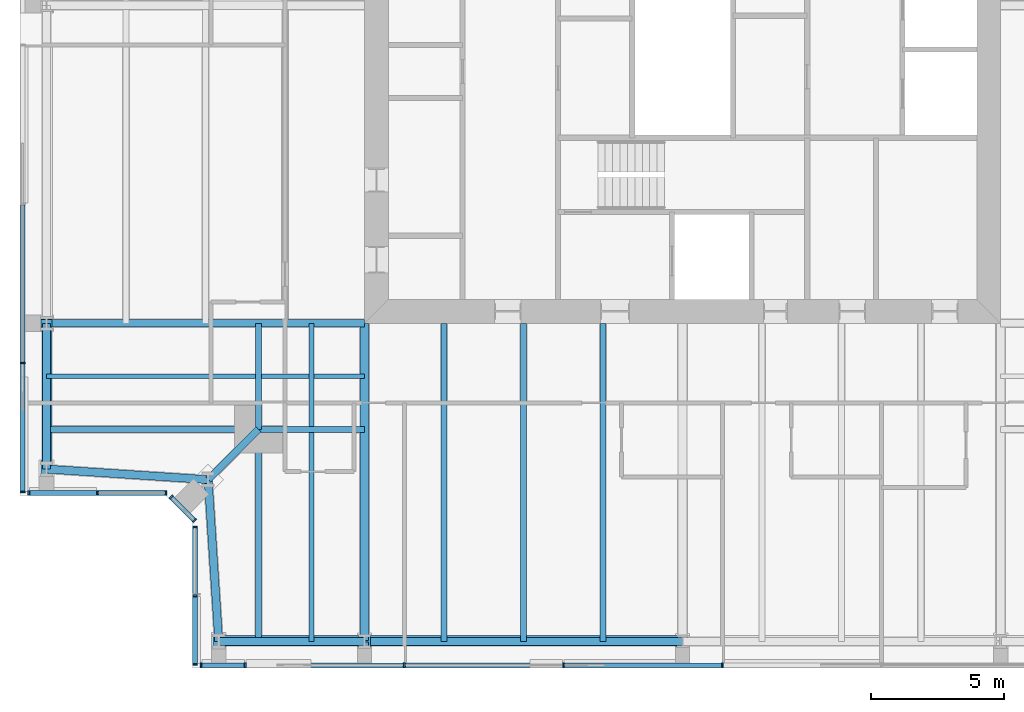
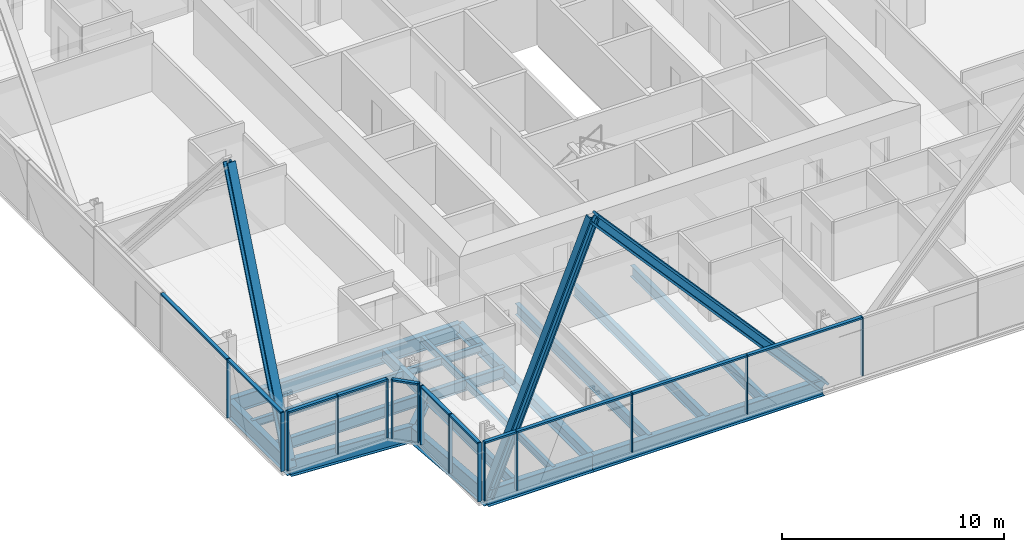
# One storey, part 2 of 19: 29 members, 20 beams, 5 elements without a shape of their own.
"""IFC4 building model written with IfcOpenShell, lengths in metres."""

from ifc_helpers import new_model, si_unit, direction, frame, origin, origin_2d, place, context, subcontext, project, spatial, rectangle, i_section, extrude, material, material_profile, profile_set, type_object, element, aggregate, save


model = new_model("IFC4")

# Units and contexts
model_context = context("Model", 3, precision=1e-05, world=origin(), true_north=direction((0.0, 1.0)))
body_context = subcontext(model_context, "Body", "Model", "MODEL_VIEW")
ifc_project = project(units=[si_unit("LENGTHUNIT", "METRE"), si_unit("AREAUNIT", "SQUARE_METRE"), si_unit("VOLUMEUNIT", "CUBIC_METRE"), si_unit("PLANEANGLEUNIT", "RADIAN"), si_unit("MASSUNIT", "GRAM", prefix="KILO")], contexts=[model_context])

# Site, building, storey
site_placement = place(None, origin())
site = spatial("IfcSite", under=ifc_project, at=site_placement, CompositionType="ELEMENT")
building_placement = place(site_placement, origin())
building = spatial("IfcBuilding", under=site, at=building_placement, Name="Fenwick Lantern Interchange", CompositionType="ELEMENT")
storey_placement = place(building_placement, frame((0.0, 0.0, 283.199951171875)))
storey = spatial("IfcBuildingStorey", under=building, at=storey_placement, Name="L68", CompositionType="ELEMENT", Elevation=283.199951171875)

# Beams
ifc_material_1 = material(Name="Steel ASTM A992 Grade 50", Category="steel")
ifc_material_profile_1 = material_profile(ifc_material_1, i_section(OverallWidth=0.3046875, OverallDepth=0.911865234375, WebThickness=0.015869140625, FlangeThickness=0.02392578125, at=origin_2d()), Name="W36X150")
ifc_profile_set_1 = profile_set([ifc_material_profile_1], Name="Steel ASTM A992 Grade 50")
beam_type_1 = type_object("IfcBeamType", Name="EDGE BEAM W36X150", PredefinedType="SPANDREL", material=ifc_profile_set_1)
beam_1_placement = place(storey_placement, frame((7.5, 1.0, -0.60595703125), z_axis=(1.0, 0.0, 0.0), x_axis=(0.0, 1.0, 0.0)))
element("IfcBeam", 1, at=beam_1_placement, inside=storey, type_object=beam_type_1, Name="L68/FR/S/EB1", PredefinedType="SPANDREL", context=body_context, shape_type="SweptSolid", body=[
    extrude(i_section(OverallWidth=0.3046875, OverallDepth=0.911865234375, WebThickness=0.015869140625, FlangeThickness=0.02392578125, at=origin_2d()), origin(), (0.0, 0.0, 1.0), 5.5),
])
beam_2_placement = place(storey_placement, frame((13.0, 1.0, -0.60595703125), z_axis=(1.0, 0.0, 0.0), x_axis=(0.0, 1.0, 0.0)))
element("IfcBeam", 2, at=beam_2_placement, inside=storey, type_object=beam_type_1, Name="L68/FR/S/EB2", PredefinedType="SPANDREL", context=body_context, shape_type="SweptSolid", body=[
    extrude(i_section(OverallWidth=0.3046875, OverallDepth=0.911865234375, WebThickness=0.015869140625, FlangeThickness=0.02392578125, at=origin_2d()), origin(), (0.0, 0.0, 1.0), 12.0),
])
beam_3_placement = place(storey_placement, frame((1.0, 13.0, -0.60595703125), z_axis=(0.0, -1.0, 0.0), x_axis=(1.0, 0.0, 0.0)))
element("IfcBeam", 3, at=beam_3_placement, inside=storey, type_object=beam_type_1, Name="L68/FR/W/EB4", PredefinedType="SPANDREL", context=body_context, shape_type="SweptSolid", body=[
    extrude(i_section(OverallWidth=0.3046875, OverallDepth=0.911865234375, WebThickness=0.015869140625, FlangeThickness=0.02392578125, at=origin_2d()), origin(), (0.0, 0.0, 1.0), 5.5),
])
for number, where, z_axis, x_axis, name in (
    (4, (1.0, 7.5, -0.60595703125), (0.997858060337, -0.065416293237, 0.0), (0.065416293237, 0.997858060337, 0.0), "L68/FR/W/EBR1"),
    (5, (7.10009765625, 7.10009765625, -0.60595703125), (0.065416293237, -0.997858060337, 0.0), (0.997858060337, 0.065416293237, 0.0), "L68/FR/W/EBR2"),
):
    element("IfcBeam", number, at=place(storey_placement, frame(where, z_axis=z_axis, x_axis=x_axis)), inside=storey, type_object=beam_type_1, Name=name, PredefinedType="SPANDREL", context=body_context, shape_type="SweptSolid", body=[
        extrude(i_section(OverallWidth=0.3046875, OverallDepth=0.911865234375, WebThickness=0.015869140625, FlangeThickness=0.02392578125, at=origin_2d()), origin(), (0.0, 0.0, 1.0), 6.11328125),
    ])

# Members
ifc_material_profile_2 = material_profile(ifc_material_1, i_section(OverallWidth=0.424072265625, OverallDepth=0.47509765625, WebThickness=0.0478515625, FlangeThickness=0.0771484375, at=origin_2d()), Name="W14X426")
ifc_profile_set_2 = profile_set([ifc_material_profile_2], Name="Steel ASTM A992 Grade 50")
member_type_1 = type_object("IfcMemberType", Name="FACADE BRACE W14X426", PredefinedType="BRACE", material=ifc_profile_set_2)
for number, where, z_axis, x_axis, name in (
    (6, (7.5, 1.0, -0.60595703125), (0.377648302155, 0.0, 0.925949113008), (0.0, 1.0, 0.0), "L68/FB/S/AE"),
    (7, (1.0, 7.5, -0.60595703125), (0.0, 0.377648302155, 0.925949113008), (-1.0, 0.0, 0.0), "L68/FB/W/BE"),
):
    element("IfcMember", number, at=place(storey_placement, frame(where, z_axis=z_axis, x_axis=x_axis)), inside=storey, type_object=member_type_1, Name=name, PredefinedType="BRACE", context=body_context, shape_type="SweptSolid", body=[
        extrude(i_section(OverallWidth=0.424072265625, OverallDepth=0.47509765625, WebThickness=0.0478515625, FlangeThickness=0.0771484375, at=origin_2d()), origin(), (0.0, 0.0, 1.0), 14.563720703125),
    ])
ifc_material_profile_3 = material_profile(ifc_material_1, i_section(OverallWidth=0.44189453125, OverallDepth=0.53076171875, WebThickness=0.06591796875, FlangeThickness=0.105712890625, at=origin_2d()), Name="W14X605")
ifc_profile_set_3 = profile_set([ifc_material_profile_3], Name="Steel ASTM A992 Grade 50")
member_type_2 = type_object("IfcMemberType", Name="FACADE BRACE W14X605", PredefinedType="BRACE", material=ifc_profile_set_3)
member_1_placement = place(storey_placement, frame((25.0, 1.0, -0.60595703125), z_axis=(-0.66476668545, 0.0, 0.747051038361), x_axis=(0.0, -1.0, 0.0)))
element("IfcMember", 8, at=member_1_placement, inside=storey, type_object=member_type_2, Name="L68/FB/S/A", PredefinedType="BRACE", context=body_context, shape_type="SweptSolid", body=[
    extrude(i_section(OverallWidth=0.44189453125, OverallDepth=0.53076171875, WebThickness=0.06591796875, FlangeThickness=0.105712890625, at=origin_2d()), origin(), (0.0, 0.0, 1.0), 18.051513671875),
])

# Beams
ifc_material_profile_4 = material_profile(ifc_material_1, i_section(OverallWidth=0.22900390625, OverallDepth=0.612060546875, WebThickness=0.011962890625, FlangeThickness=0.01953125, at=origin_2d()), Name="W24X84")
ifc_profile_set_4 = profile_set([ifc_material_profile_4], Name="Steel ASTM A992 Grade 50")
beam_type_2 = type_object("IfcBeamType", Name="FLOOR BEAM W24X84", PredefinedType="BEAM", material=ifc_profile_set_4)
for number, where, z_axis, x_axis, name in (
    (9, (16.0, 1.0, -0.4560546875), (0.0, 1.0, 0.0), (-1.0, 0.0, 0.0), "L68/FR/S/R02"),
    (10, (19.0, 1.0, -0.4560546875), (0.0, 1.0, 0.0), (-1.0, 0.0, 0.0), "L68/FR/S/R03"),
    (11, (22.0, 1.0, -0.4560546875), (0.0, 1.0, 0.0), (-1.0, 0.0, 0.0), "L68/FR/S/R04"),
):
    element("IfcBeam", number, at=place(storey_placement, frame(where, z_axis=z_axis, x_axis=x_axis)), inside=storey, type_object=beam_type_2, Name=name, PredefinedType="BEAM", context=body_context, shape_type="SweptSolid", body=[
        extrude(i_section(OverallWidth=0.22900390625, OverallDepth=0.612060546875, WebThickness=0.011962890625, FlangeThickness=0.01953125, at=origin_2d()), origin(), (0.0, 0.0, 1.0), 12.0),
    ])

# Curtain wall, members
ifc_material_2 = material(Name="Aluminium curtain wall frame", Category="aluminium")
curtain_wall_type = type_object("IfcCurtainWallType", Name="HOTEL CURTAIN WALL", PredefinedType="USERDEFINED", material=ifc_material_2)
curtain_wall_1_placement = place(storey_placement, origin())
curtain_wall_1 = element("IfcCurtainWall", 12, at=curtain_wall_1_placement, inside=storey, type_object=curtain_wall_type, Name="Hotel curtain wall 01", ObjectType="HOTEL CURTAIN WALL", PredefinedType="USERDEFINED")
ifc_material_3 = material(Name="Aluminium extrusion", Category="aluminium")
ifc_material_profile_5 = material_profile(ifc_material_3, rectangle(XDim=0.179931640625, YDim=0.06005859375, at=origin_2d()), Name="HOTEL CURTAIN WALL MULLION 60 X 180")
ifc_profile_set_5 = profile_set([ifc_material_profile_5], Name="Aluminium extrusion")
member_type_3 = type_object("IfcMemberType", Name="HOTEL CURTAIN WALL MULLION 60 X 180", PredefinedType="MULLION", material=ifc_profile_set_5)
member_2_placement = place(storey_placement, frame((6.830078125, 0.10009765625, 0.0), z_axis=(0.0, 0.0, 1.0), x_axis=(0.0, 1.0, 0.0)))
member_2 = element("IfcMember", 13, at=member_2_placement, type_object=member_type_3, Name="L68/CW/01/M00", PredefinedType="MULLION", context=body_context, shape_type="SweptSolid", body=[
    extrude(rectangle(XDim=0.179931640625, YDim=0.06005859375, at=origin_2d()), origin(), (0.0, 0.0, 1.0), 3.25),
])
member_3_placement = place(storey_placement, frame((8.5, 0.10009765625, 0.0), z_axis=(0.0, 0.0, 1.0), x_axis=(0.0, 1.0, 0.0)))
member_3 = element("IfcMember", 14, at=member_3_placement, type_object=member_type_3, Name="L68/CW/01/M01", PredefinedType="MULLION", context=body_context, shape_type="SweptSolid", body=[
    extrude(rectangle(XDim=0.179931640625, YDim=0.06005859375, at=origin_2d()), origin(), (0.0, 0.0, 1.0), 3.25),
])
member_4_placement = place(storey_placement, frame((14.5, 0.10009765625, 0.0), z_axis=(0.0, 0.0, 1.0), x_axis=(0.0, 1.0, 0.0)))
member_4 = element("IfcMember", 15, at=member_4_placement, type_object=member_type_3, Name="L68/CW/01/M02", PredefinedType="MULLION", context=body_context, shape_type="SweptSolid", body=[
    extrude(rectangle(XDim=0.179931640625, YDim=0.06005859375, at=origin_2d()), origin(), (0.0, 0.0, 1.0), 3.25),
])
member_5_placement = place(storey_placement, frame((20.5, 0.10009765625, 0.0), z_axis=(0.0, 0.0, 1.0), x_axis=(0.0, 1.0, 0.0)))
member_5 = element("IfcMember", 16, at=member_5_placement, type_object=member_type_3, Name="L68/CW/01/M03", PredefinedType="MULLION", context=body_context, shape_type="SweptSolid", body=[
    extrude(rectangle(XDim=0.179931640625, YDim=0.06005859375, at=origin_2d()), origin(), (0.0, 0.0, 1.0), 3.25),
])
member_6_placement = place(storey_placement, frame((26.5, 0.10009765625, 0.0), z_axis=(0.0, 0.0, 1.0), x_axis=(0.0, 1.0, 0.0)))
member_6 = element("IfcMember", 17, at=member_6_placement, type_object=member_type_3, Name="L68/CW/01/M04", PredefinedType="MULLION", context=body_context, shape_type="SweptSolid", body=[
    extrude(rectangle(XDim=0.179931640625, YDim=0.06005859375, at=origin_2d()), origin(), (0.0, 0.0, 1.0), 3.25),
])

curtain_wall_2_placement = place(storey_placement, origin())
curtain_wall_2 = element("IfcCurtainWall", 18, at=curtain_wall_2_placement, inside=storey, type_object=curtain_wall_type, Name="Hotel curtain wall 13", ObjectType="HOTEL CURTAIN WALL", PredefinedType="USERDEFINED")
member_7_placement = place(storey_placement, frame((0.10009765625, 11.5, 0.0), z_axis=(0.0, 0.0, 1.0), x_axis=(1.0, 0.0, 0.0)))
member_7 = element("IfcMember", 19, at=member_7_placement, type_object=member_type_3, Name="L68/CW/13/M06", PredefinedType="MULLION", context=body_context, shape_type="SweptSolid", body=[
    extrude(rectangle(XDim=0.179931640625, YDim=0.06005859375, at=origin_2d()), origin(), (0.0, 0.0, 1.0), 3.25),
])
member_8_placement = place(storey_placement, frame((0.10009765625, 6.6298828125, 0.0), z_axis=(0.0, 0.0, 1.0), x_axis=(1.0, 0.0, 0.0)))
member_8 = element("IfcMember", 20, at=member_8_placement, type_object=member_type_3, Name="L68/CW/13/M07", PredefinedType="MULLION", context=body_context, shape_type="SweptSolid", body=[
    extrude(rectangle(XDim=0.179931640625, YDim=0.06005859375, at=origin_2d()), origin(), (0.0, 0.0, 1.0), 3.25),
])

curtain_wall_3_placement = place(storey_placement, origin())
curtain_wall_3 = element("IfcCurtainWall", 21, at=curtain_wall_3_placement, inside=storey, type_object=curtain_wall_type, Name="Hotel curtain wall 14", ObjectType="HOTEL CURTAIN WALL", PredefinedType="USERDEFINED")
member_9_placement = place(storey_placement, frame((0.330078125, 6.60009765625, 0.0), z_axis=(0.0, 0.0, 1.0), x_axis=(0.0, 1.0, 0.0)))
member_9 = element("IfcMember", 22, at=member_9_placement, type_object=member_type_3, Name="L68/CW/14/M00", PredefinedType="MULLION", context=body_context, shape_type="SweptSolid", body=[
    extrude(rectangle(XDim=0.179931640625, YDim=0.06005859375, at=origin_2d()), origin(), (0.0, 0.0, 1.0), 3.25),
])
member_10_placement = place(storey_placement, frame((2.920654296875, 6.60009765625, 0.0), z_axis=(0.0, 0.0, 1.0), x_axis=(0.0, 1.0, 0.0)))
member_10 = element("IfcMember", 23, at=member_10_placement, type_object=member_type_3, Name="L68/CW/14/M01", PredefinedType="MULLION", context=body_context, shape_type="SweptSolid", body=[
    extrude(rectangle(XDim=0.179931640625, YDim=0.06005859375, at=origin_2d()), origin(), (0.0, 0.0, 1.0), 3.25),
])
member_11_placement = place(storey_placement, frame((5.511474609375, 6.60009765625, 0.0), z_axis=(0.0, 0.0, 1.0), x_axis=(0.0, 1.0, 0.0)))
member_11 = element("IfcMember", 24, at=member_11_placement, type_object=member_type_3, Name="L68/CW/14/M02", PredefinedType="MULLION", context=body_context, shape_type="SweptSolid", body=[
    extrude(rectangle(XDim=0.179931640625, YDim=0.06005859375, at=origin_2d()), origin(), (0.0, 0.0, 1.0), 3.25),
])

curtain_wall_4_placement = place(storey_placement, origin())
curtain_wall_4 = element("IfcCurtainWall", 25, at=curtain_wall_4_placement, inside=storey, type_object=curtain_wall_type, Name="Hotel curtain wall 15", ObjectType="HOTEL CURTAIN WALL", PredefinedType="USERDEFINED")
member_12_placement = place(storey_placement, frame((5.7041015625, 6.437255859375, 0.0), z_axis=(0.0, 0.0, 1.0), x_axis=(0.707106781187, 0.707106781187, 0.0)))
member_12 = element("IfcMember", 26, at=member_12_placement, type_object=member_type_3, Name="L68/CW/15/M00", PredefinedType="MULLION", context=body_context, shape_type="SweptSolid", body=[
    extrude(rectangle(XDim=0.179931640625, YDim=0.06005859375, at=origin_2d()), origin(), (0.0, 0.0, 1.0), 3.25),
])
member_13_placement = place(storey_placement, frame((6.578857421875, 5.562744140625, 0.0), z_axis=(0.0, 0.0, 1.0), x_axis=(0.707106781187, 0.707106781187, 0.0)))
member_13 = element("IfcMember", 27, at=member_13_placement, type_object=member_type_3, Name="L68/CW/15/M01", PredefinedType="MULLION", context=body_context, shape_type="SweptSolid", body=[
    extrude(rectangle(XDim=0.179931640625, YDim=0.06005859375, at=origin_2d()), origin(), (0.0, 0.0, 1.0), 3.25),
])

curtain_wall_5_placement = place(storey_placement, origin())
curtain_wall_5 = element("IfcCurtainWall", 28, at=curtain_wall_5_placement, inside=storey, type_object=curtain_wall_type, Name="Hotel curtain wall 16", ObjectType="HOTEL CURTAIN WALL", PredefinedType="USERDEFINED")
member_14_placement = place(storey_placement, frame((6.60009765625, 5.3115234375, 0.0), z_axis=(0.0, 0.0, 1.0), x_axis=(1.0, 0.0, 0.0)))
member_14 = element("IfcMember", 29, at=member_14_placement, type_object=member_type_3, Name="L68/CW/16/M00", PredefinedType="MULLION", context=body_context, shape_type="SweptSolid", body=[
    extrude(rectangle(XDim=0.179931640625, YDim=0.06005859375, at=origin_2d()), origin(), (0.0, 0.0, 1.0), 3.25),
])
member_15_placement = place(storey_placement, frame((6.60009765625, 2.720703125, 0.0), z_axis=(0.0, 0.0, 1.0), x_axis=(1.0, 0.0, 0.0)))
member_15 = element("IfcMember", 30, at=member_15_placement, type_object=member_type_3, Name="L68/CW/16/M01", PredefinedType="MULLION", context=body_context, shape_type="SweptSolid", body=[
    extrude(rectangle(XDim=0.179931640625, YDim=0.06005859375, at=origin_2d()), origin(), (0.0, 0.0, 1.0), 3.25),
])
member_16_placement = place(storey_placement, frame((6.60009765625, 0.1298828125, 0.0), z_axis=(0.0, 0.0, 1.0), x_axis=(1.0, 0.0, 0.0)))
member_16 = element("IfcMember", 31, at=member_16_placement, type_object=member_type_3, Name="L68/CW/16/M02", PredefinedType="MULLION", context=body_context, shape_type="SweptSolid", body=[
    extrude(rectangle(XDim=0.179931640625, YDim=0.06005859375, at=origin_2d()), origin(), (0.0, 0.0, 1.0), 3.25),
])

# Member
ifc_material_profile_6 = material_profile(ifc_material_3, rectangle(XDim=0.179931640625, YDim=0.10009765625, at=origin_2d()), Name="HOTEL CURTAIN WALL TRANSOM 100 X 180")
ifc_profile_set_6 = profile_set([ifc_material_profile_6], Name="Aluminium extrusion")
member_type_4 = type_object("IfcMemberType", Name="HOTEL CURTAIN WALL TRANSOM 100 X 180", PredefinedType="MULLION", material=ifc_profile_set_6)
member_17_placement = place(storey_placement, frame((6.860107421875, 0.10009765625, 3.199951171875), z_axis=(1.0, 0.0, 0.0), x_axis=(0.0, 1.0, 0.0)))
member_17 = element("IfcMember", 32, at=member_17_placement, type_object=member_type_4, Name="L68/CW/01/T00", PredefinedType="MULLION", context=body_context, shape_type="SweptSolid", body=[
    extrude(rectangle(XDim=0.179931640625, YDim=0.10009765625, at=origin_2d()), origin(), (0.0, 0.0, 1.0), 1.60986328125),
])

member_18_placement = place(storey_placement, frame((8.530029296875, 0.10009765625, 3.199951171875), z_axis=(1.0, 0.0, 0.0), x_axis=(0.0, 1.0, 0.0)))
member_18 = element("IfcMember", 33, at=member_18_placement, type_object=member_type_4, Name="L68/CW/01/T01", PredefinedType="MULLION", context=body_context, shape_type="SweptSolid", body=[
    extrude(rectangle(XDim=0.179931640625, YDim=0.10009765625, at=origin_2d()), origin(), (0.0, 0.0, 1.0), 5.93994140625),
])

member_19_placement = place(storey_placement, frame((14.530029296875, 0.10009765625, 3.199951171875), z_axis=(1.0, 0.0, 0.0), x_axis=(0.0, 1.0, 0.0)))
member_19 = element("IfcMember", 34, at=member_19_placement, type_object=member_type_4, Name="L68/CW/01/T02", PredefinedType="MULLION", context=body_context, shape_type="SweptSolid", body=[
    extrude(rectangle(XDim=0.179931640625, YDim=0.10009765625, at=origin_2d()), origin(), (0.0, 0.0, 1.0), 5.93994140625),
])

member_20_placement = place(storey_placement, frame((20.530029296875, 0.10009765625, 3.199951171875), z_axis=(1.0, 0.0, 0.0), x_axis=(0.0, 1.0, 0.0)))
member_20 = element("IfcMember", 35, at=member_20_placement, type_object=member_type_4, Name="L68/CW/01/T03", PredefinedType="MULLION", context=body_context, shape_type="SweptSolid", body=[
    extrude(rectangle(XDim=0.179931640625, YDim=0.10009765625, at=origin_2d()), origin(), (0.0, 0.0, 1.0), 5.93994140625),
])

aggregate(curtain_wall_1, [member_2, member_3, member_4, member_5, member_6, member_17, member_18, member_19, member_20])

member_21_placement = place(storey_placement, frame((0.10009765625, 17.469970703125, 3.199951171875), z_axis=(0.0, -1.0, 0.0), x_axis=(1.0, 0.0, 0.0)))
member_21 = element("IfcMember", 36, at=member_21_placement, type_object=member_type_4, Name="L68/CW/13/T05", PredefinedType="MULLION", context=body_context, shape_type="SweptSolid", body=[
    extrude(rectangle(XDim=0.179931640625, YDim=0.10009765625, at=origin_2d()), origin(), (0.0, 0.0, 1.0), 5.93994140625),
])

member_22_placement = place(storey_placement, frame((0.10009765625, 11.469970703125, 3.199951171875), z_axis=(0.0, -1.0, 0.0), x_axis=(1.0, 0.0, 0.0)))
member_22 = element("IfcMember", 37, at=member_22_placement, type_object=member_type_4, Name="L68/CW/13/T06", PredefinedType="MULLION", context=body_context, shape_type="SweptSolid", body=[
    extrude(rectangle(XDim=0.179931640625, YDim=0.10009765625, at=origin_2d()), origin(), (0.0, 0.0, 1.0), 4.81005859375),
])

aggregate(curtain_wall_2, [member_7, member_8, member_21, member_22])

member_23_placement = place(storey_placement, frame((0.360107421875, 6.60009765625, 3.199951171875), z_axis=(1.0, 0.0, 0.0), x_axis=(0.0, 1.0, 0.0)))
member_23 = element("IfcMember", 38, at=member_23_placement, type_object=member_type_4, Name="L68/CW/14/T00", PredefinedType="MULLION", context=body_context, shape_type="SweptSolid", body=[
    extrude(rectangle(XDim=0.179931640625, YDim=0.10009765625, at=origin_2d()), origin(), (0.0, 0.0, 1.0), 2.530517578125),
])

member_24_placement = place(storey_placement, frame((2.95068359375, 6.60009765625, 3.199951171875), z_axis=(1.0, 0.0, 0.0), x_axis=(0.0, 1.0, 0.0)))
member_24 = element("IfcMember", 39, at=member_24_placement, type_object=member_type_4, Name="L68/CW/14/T01", PredefinedType="MULLION", context=body_context, shape_type="SweptSolid", body=[
    extrude(rectangle(XDim=0.179931640625, YDim=0.10009765625, at=origin_2d()), origin(), (0.0, 0.0, 1.0), 2.53076171875),
])

aggregate(curtain_wall_3, [member_9, member_10, member_11, member_23, member_24])

member_25_placement = place(storey_placement, frame((5.725341796875, 6.416259765625, 3.199951171875), z_axis=(0.707003077033, -0.707210470133, 0.0), x_axis=(0.707210470133, 0.707003077033, 0.0)))
member_25 = element("IfcMember", 40, at=member_25_placement, type_object=member_type_4, Name="L68/CW/15/T00", PredefinedType="MULLION", context=body_context, shape_type="SweptSolid", body=[
    extrude(rectangle(XDim=0.179931640625, YDim=0.10009765625, at=origin_2d()), origin(), (0.0, 0.0, 1.0), 1.17724609375),
])

aggregate(curtain_wall_4, [member_12, member_13, member_25])

member_26_placement = place(storey_placement, frame((6.60009765625, 5.281494140625, 3.199951171875), z_axis=(0.0, -1.0, 0.0), x_axis=(1.0, 0.0, 0.0)))
member_26 = element("IfcMember", 41, at=member_26_placement, type_object=member_type_4, Name="L68/CW/16/T00", PredefinedType="MULLION", context=body_context, shape_type="SweptSolid", body=[
    extrude(rectangle(XDim=0.179931640625, YDim=0.10009765625, at=origin_2d()), origin(), (0.0, 0.0, 1.0), 2.53076171875),
])

member_27_placement = place(storey_placement, frame((6.60009765625, 2.690673828125, 3.199951171875), z_axis=(0.0, -1.0, 0.0), x_axis=(1.0, 0.0, 0.0)))
member_27 = element("IfcMember", 42, at=member_27_placement, type_object=member_type_4, Name="L68/CW/16/T01", PredefinedType="MULLION", context=body_context, shape_type="SweptSolid", body=[
    extrude(rectangle(XDim=0.179931640625, YDim=0.10009765625, at=origin_2d()), origin(), (0.0, 0.0, 1.0), 2.53076171875),
])

aggregate(curtain_wall_5, [member_14, member_15, member_16, member_26, member_27])

# Beams
ifc_material_profile_7 = material_profile(ifc_material_1, i_section(OverallWidth=0.177734375, OverallDepth=0.406494140625, WebThickness=0.0078125, FlangeThickness=0.012939453125, at=origin_2d()), Name="W16X40")
ifc_profile_set_7 = profile_set([ifc_material_profile_7], Name="Steel ASTM A992 Grade 50")
beam_type_3 = type_object("IfcBeamType", Name="INFILL BEAM W16X40", PredefinedType="JOIST", material=ifc_profile_set_7)
beam_4_placement = place(storey_placement, frame((11.0, 1.0, -0.353271484375), z_axis=(0.0, 1.0, 0.0), x_axis=(-1.0, 0.0, 0.0)))
element("IfcBeam", 43, at=beam_4_placement, inside=storey, type_object=beam_type_3, Name="L68/FR/S/J1", PredefinedType="JOIST", context=body_context, shape_type="SweptSolid", body=[
    extrude(i_section(OverallWidth=0.177734375, OverallDepth=0.406494140625, WebThickness=0.0078125, FlangeThickness=0.012939453125, at=origin_2d()), origin(), (0.0, 0.0, 1.0), 7.885498046875),
])
beam_5_placement = place(storey_placement, frame((11.0, 9.114501953125, -0.353271484375), z_axis=(0.0, 1.0, 0.0), x_axis=(-1.0, 0.0, 0.0)))
element("IfcBeam", 44, at=beam_5_placement, inside=storey, type_object=beam_type_3, Name="L68/FR/S/J2", PredefinedType="JOIST", context=body_context, shape_type="SweptSolid", body=[
    extrude(i_section(OverallWidth=0.177734375, OverallDepth=0.406494140625, WebThickness=0.0078125, FlangeThickness=0.012939453125, at=origin_2d()), origin(), (0.0, 0.0, 1.0), 3.885498046875),
])
beam_6_placement = place(storey_placement, frame((1.0, 11.0, -0.353271484375), z_axis=(1.0, 0.0, 0.0), x_axis=(0.0, 1.0, 0.0)))
element("IfcBeam", 45, at=beam_6_placement, inside=storey, type_object=beam_type_3, Name="L68/FR/S/J3", PredefinedType="JOIST", context=body_context, shape_type="SweptSolid", body=[
    extrude(i_section(OverallWidth=0.177734375, OverallDepth=0.406494140625, WebThickness=0.0078125, FlangeThickness=0.012939453125, at=origin_2d()), origin(), (0.0, 0.0, 1.0), 7.885498046875),
])
beam_7_placement = place(storey_placement, frame((9.114501953125, 11.0, -0.353271484375), z_axis=(1.0, 0.0, 0.0), x_axis=(0.0, 1.0, 0.0)))
element("IfcBeam", 46, at=beam_7_placement, inside=storey, type_object=beam_type_3, Name="L68/FR/S/J4", PredefinedType="JOIST", context=body_context, shape_type="SweptSolid", body=[
    extrude(i_section(OverallWidth=0.177734375, OverallDepth=0.406494140625, WebThickness=0.0078125, FlangeThickness=0.012939453125, at=origin_2d()), origin(), (0.0, 0.0, 1.0), 1.796630859375),
])
beam_8_placement = place(storey_placement, frame((11.0888671875, 11.0, -0.353271484375), z_axis=(1.0, 0.0, 0.0), x_axis=(0.0, 1.0, 0.0)))
element("IfcBeam", 47, at=beam_8_placement, inside=storey, type_object=beam_type_3, Name="L68/FR/S/J5", PredefinedType="JOIST", context=body_context, shape_type="SweptSolid", body=[
    extrude(i_section(OverallWidth=0.177734375, OverallDepth=0.406494140625, WebThickness=0.0078125, FlangeThickness=0.012939453125, at=origin_2d()), origin(), (0.0, 0.0, 1.0), 1.9111328125),
])
ifc_material_profile_8 = material_profile(ifc_material_1, i_section(OverallWidth=0.22900390625, OverallDepth=0.612060546875, WebThickness=0.011962890625, FlangeThickness=0.01953125, at=origin_2d()), Name="W24X84")
ifc_profile_set_8 = profile_set([ifc_material_profile_8], Name="Steel ASTM A992 Grade 50")
beam_type_4 = type_object("IfcBeamType", Name="MEGA COLUMN BEAM W24X84", PredefinedType="BEAM", material=ifc_profile_set_8)
for number, where, z_axis, x_axis, name in (
    (48, (9.0, 9.0, -0.4560546875), (0.0, -1.0, 0.0), (1.0, 0.0, 0.0), "L68/FR/S/MB1"),
    (49, (9.0, 9.0, -0.4560546875), (-1.0, 0.0, 0.0), (0.0, -1.0, 0.0), "L68/FR/S/MB2"),
):
    element("IfcBeam", number, at=place(storey_placement, frame(where, z_axis=z_axis, x_axis=x_axis)), inside=storey, type_object=beam_type_4, Name=name, PredefinedType="BEAM", context=body_context, shape_type="SweptSolid", body=[
        extrude(i_section(OverallWidth=0.22900390625, OverallDepth=0.612060546875, WebThickness=0.011962890625, FlangeThickness=0.01953125, at=origin_2d()), origin(), (0.0, 0.0, 1.0), 8.0),
    ])
for number, where, z_axis, x_axis, name in (
    (50, (9.0, 9.0, -0.4560546875), (1.0, 0.0, 0.0), (0.0, 1.0, 0.0), "L68/FR/S/MB3"),
    (51, (9.0, 9.0, -0.4560546875), (0.0, 1.0, 0.0), (-1.0, 0.0, 0.0), "L68/FR/S/MB4"),
):
    element("IfcBeam", number, at=place(storey_placement, frame(where, z_axis=z_axis, x_axis=x_axis)), inside=storey, type_object=beam_type_4, Name=name, PredefinedType="BEAM", context=body_context, shape_type="SweptSolid", body=[
        extrude(i_section(OverallWidth=0.22900390625, OverallDepth=0.612060546875, WebThickness=0.011962890625, FlangeThickness=0.01953125, at=origin_2d()), origin(), (0.0, 0.0, 1.0), 4.0),
    ])
ifc_material_profile_9 = material_profile(ifc_material_1, i_section(OverallWidth=0.32763671875, OverallDepth=0.622314453125, WebThickness=0.015380859375, FlangeThickness=0.0244140625, at=origin_2d()), Name="W24X131")
ifc_profile_set_9 = profile_set([ifc_material_profile_9], Name="Steel ASTM A992 Grade 50")
beam_type_5 = type_object("IfcBeamType", Name="MOMENT-CONNECTED GIRDER W24X131", PredefinedType="BEAM", material=ifc_profile_set_9)
beam_9_placement = place(storey_placement, frame((13.0, 1.0, -0.461181640625), z_axis=(0.0, 1.0, 0.0), x_axis=(-1.0, 0.0, 0.0)))
element("IfcBeam", 52, at=beam_9_placement, inside=storey, type_object=beam_type_5, Name="L68/FR/S/R01", PredefinedType="BEAM", context=body_context, shape_type="SweptSolid", body=[
    extrude(i_section(OverallWidth=0.32763671875, OverallDepth=0.622314453125, WebThickness=0.015380859375, FlangeThickness=0.0244140625, at=origin_2d()), origin(), (0.0, 0.0, 1.0), 12.0),
])
ifc_material_profile_10 = material_profile(ifc_material_1, i_section(OverallWidth=0.2919921875, OverallDepth=0.845703125, WebThickness=0.015380859375, FlangeThickness=0.0244140625, at=origin_2d()), Name="W33X141")
ifc_profile_set_10 = profile_set([ifc_material_profile_10], Name="Steel ASTM A992 Grade 50")
beam_type_6 = type_object("IfcBeamType", Name="MOMENT-CONNECTED GIRDER W33X141", PredefinedType="BEAM", material=ifc_profile_set_10)
beam_10_placement = place(storey_placement, frame((1.0, 13.0, -0.57275390625), z_axis=(1.0, 0.0, 0.0), x_axis=(0.0, 1.0, 0.0)))
element("IfcBeam", 53, at=beam_10_placement, inside=storey, type_object=beam_type_6, Name="L68/FR/W/R03", PredefinedType="BEAM", context=body_context, shape_type="SweptSolid", body=[
    extrude(i_section(OverallWidth=0.2919921875, OverallDepth=0.845703125, WebThickness=0.015380859375, FlangeThickness=0.0244140625, at=origin_2d()), origin(), (0.0, 0.0, 1.0), 12.0),
])
ifc_material_profile_11 = material_profile(ifc_material_1, i_section(OverallWidth=0.2666015625, OverallDepth=0.7568359375, WebThickness=0.013916015625, FlangeThickness=0.019287109375, at=origin_2d()), Name="W30X108")
ifc_profile_set_11 = profile_set([ifc_material_profile_11], Name="Steel ASTM A992 Grade 50")
beam_type_7 = type_object("IfcBeamType", Name="NOTCH BEAM W30X108", PredefinedType="BEAM", material=ifc_profile_set_11)
beam_11_placement = place(storey_placement, frame((9.0, 9.0, -0.5283203125), z_axis=(-0.707106781187, -0.707106781187, 0.0), x_axis=(0.707106781187, -0.707106781187, 0.0)))
element("IfcBeam", 54, at=beam_11_placement, inside=storey, type_object=beam_type_7, Name="L68/FR/S/TG", PredefinedType="BEAM", context=body_context, shape_type="SweptSolid", body=[
    extrude(i_section(OverallWidth=0.2666015625, OverallDepth=0.7568359375, WebThickness=0.013916015625, FlangeThickness=0.019287109375, at=origin_2d()), origin(), (0.0, 0.0, 1.0), 2.686767578125),
])

save(model, "model.ifc")
